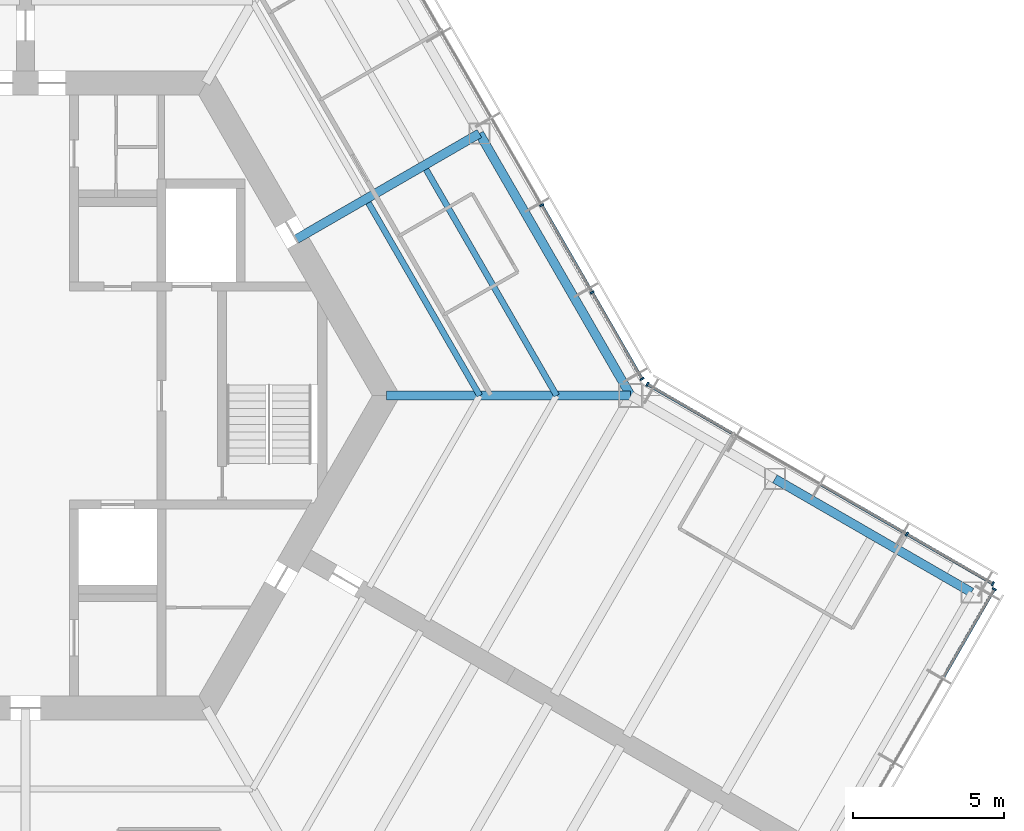
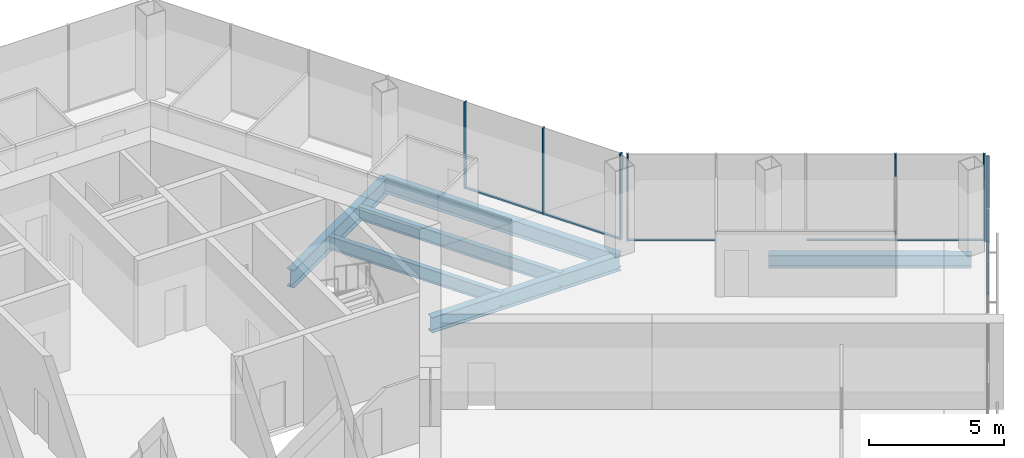
# One storey, part 5 of 15: 13 members, 6 beams, 3 elements without a shape of their own.
"""IFC4 building model written with IfcOpenShell, lengths in metres."""

from ifc_helpers import new_model, si_unit, direction, frame, origin, origin_2d, place, context, subcontext, project, spatial, rectangle, i_section, extrude, material, material_profile, profile_set, type_object, element, aggregate, save


model = new_model("IFC4")

# Units and contexts
model_context = context("Model", 3, precision=1e-05, world=origin(), true_north=direction((0.0, 1.0)))
body_context = subcontext(model_context, "Body", "Model", "MODEL_VIEW")
ifc_project = project(units=[si_unit("LENGTHUNIT", "METRE"), si_unit("AREAUNIT", "SQUARE_METRE"), si_unit("VOLUMEUNIT", "CUBIC_METRE"), si_unit("PLANEANGLEUNIT", "RADIAN"), si_unit("MASSUNIT", "GRAM", prefix="KILO")], contexts=[model_context])

# Site, building, storey
site_placement = place(None, origin())
site = spatial("IfcSite", under=ifc_project, at=site_placement, CompositionType="ELEMENT")
building_placement = place(site_placement, origin())
building = spatial("IfcBuilding", under=site, at=building_placement, Name="Kasaneha Research Tower", CompositionType="ELEMENT")
storey_placement = place(building_placement, frame((0.0, 0.0, 236.199951171875)))
storey = spatial("IfcBuildingStorey", under=building, at=storey_placement, Name="L59", CompositionType="ELEMENT", Elevation=236.199951171875)

# Beams
ifc_material_1 = material(Name="Steel SN490B", Category="steel")
ifc_material_profile_1 = material_profile(ifc_material_1, i_section(OverallWidth=0.199951171875, OverallDepth=0.60009765625, WebThickness=0.010986328125, FlangeThickness=0.01708984375, FilletRadius=0.012939453125, at=origin_2d()), Name="H-600x200x11x17")
ifc_profile_set_1 = profile_set([ifc_material_profile_1], Name="Steel SN490B")
beam_type_1 = type_object("IfcBeamType", Name="B1-3 secondary beam H-600x200x11x17", PredefinedType="JOIST", material=ifc_profile_set_1)
beam_1_placement = place(storey_placement, frame((15.010986328125, 0.0, -0.449951171875), z_axis=(-0.499994443168, 0.866028611999, 0.0), x_axis=(-0.866028611999, -0.499994443168, 0.0)))
element("IfcBeam", 1, at=beam_1_placement, inside=storey, type_object=beam_type_1, Name="Secondary beam RS030L1 L59", PredefinedType="JOIST", context=body_context, shape_type="SweptSolid", body=[
    extrude(i_section(OverallWidth=0.199951171875, OverallDepth=0.60009765625, WebThickness=0.010986328125, FlangeThickness=0.01708984375, FilletRadius=0.012939453125, at=origin_2d()), origin(), (0.0, 0.0, 1.0), 7.35546875),
])
beam_2_placement = place(storey_placement, frame((17.551513671875, 0.0, -0.449951171875), z_axis=(-0.5000050195, 0.866022505755, 0.0), x_axis=(-0.866022505755, -0.5000050195, 0.0)))
element("IfcBeam", 2, at=beam_2_placement, inside=storey, type_object=beam_type_1, Name="Secondary beam RS030L2 L59", PredefinedType="JOIST", context=body_context, shape_type="SweptSolid", body=[
    extrude(i_section(OverallWidth=0.199951171875, OverallDepth=0.60009765625, WebThickness=0.010986328125, FlangeThickness=0.01708984375, FilletRadius=0.012939453125, at=origin_2d()), origin(), (0.0, 0.0, 1.0), 8.6259765625),
])

# Curtain wall, members
ifc_material_2 = material(Name="Glass and aluminium", Category="aluminium")
curtain_wall_type = type_object("IfcCurtainWallType", Name="High-rise office curtain wall", PredefinedType="USERDEFINED", material=ifc_material_2)
curtain_wall_1_placement = place(storey_placement, origin())
curtain_wall_1 = element("IfcCurtainWall", 3, at=curtain_wall_1_placement, inside=storey, type_object=curtain_wall_type, Name="CW-O3 L59 run 01a", ObjectType="UNITISED CURTAIN WALL", PredefinedType="USERDEFINED")
ifc_material_3 = material(Name="Aluminium 6063-T6", Category="aluminium")
ifc_material_profile_2 = material_profile(ifc_material_3, rectangle(XDim=0.06005859375, YDim=0.139892578125, at=origin_2d()), Name="CW-O3 mullion 60x140")
ifc_profile_set_2 = profile_set([ifc_material_profile_2], Name="Aluminium 6063-T6")
member_type_1 = type_object("IfcMemberType", Name="CW-O3 mullion", PredefinedType="MULLION", material=ifc_profile_set_2)
member_1_placement = place(storey_placement, frame((20.374267578125, 0.5517578125, 0.0), z_axis=(0.0, 0.0, 1.0), x_axis=(-0.499999979232, 0.866025415775, 0.0)))
member_1 = element("IfcMember", 4, at=member_1_placement, type_object=member_type_1, Name="CW-O3 mullion 1", PredefinedType="MULLION", context=body_context, shape_type="SweptSolid", body=[
    extrude(rectangle(XDim=0.06005859375, YDim=0.139892578125, at=origin_2d()), origin(), (0.0, 0.0, 1.0), 3.900146484375),
])
member_2_placement = place(storey_placement, frame((18.723876953125, 3.410400390625, 0.0), z_axis=(0.0, 0.0, 1.0), x_axis=(-0.499999979232, 0.866025415775, 0.0)))
member_2 = element("IfcMember", 5, at=member_2_placement, type_object=member_type_1, Name="CW-O3 mullion 2", PredefinedType="MULLION", context=body_context, shape_type="SweptSolid", body=[
    extrude(rectangle(XDim=0.06005859375, YDim=0.139892578125, at=origin_2d()), origin(), (0.0, 0.0, 1.0), 3.900146484375),
])
member_3_placement = place(storey_placement, frame((17.058349609375, 6.295166015625, 0.0), z_axis=(0.0, 0.0, 1.0), x_axis=(-0.499999979232, 0.866025415775, 0.0)))
member_3 = element("IfcMember", 6, at=member_3_placement, type_object=member_type_1, Name="CW-O3 mullion 3", PredefinedType="MULLION", context=body_context, shape_type="SweptSolid", body=[
    extrude(rectangle(XDim=0.06005859375, YDim=0.139892578125, at=origin_2d()), origin(), (0.0, 0.0, 1.0), 3.900146484375),
])

# Curtain wall, member
curtain_wall_2_placement = place(storey_placement, origin())
curtain_wall_2 = element("IfcCurtainWall", 7, at=curtain_wall_2_placement, inside=storey, type_object=curtain_wall_type, Name="CW-O3 L59 run 08a", ObjectType="UNITISED CURTAIN WALL", PredefinedType="USERDEFINED")
member_4_placement = place(storey_placement, frame((32.012939453125, -6.39306640625, 0.0), z_axis=(0.0, 0.0, 1.0), x_axis=(0.500000011442, 0.866025397178, 0.0)))
member_4 = element("IfcMember", 8, at=member_4_placement, type_object=member_type_1, Name="CW-O3 mullion 4", PredefinedType="MULLION", context=body_context, shape_type="SweptSolid", body=[
    extrude(rectangle(XDim=0.06005859375, YDim=0.139892578125, at=origin_2d()), origin(), (0.0, 0.0, 1.0), 3.900146484375),
])

# Curtain wall, members
curtain_wall_3_placement = place(storey_placement, origin())
curtain_wall_3 = element("IfcCurtainWall", 9, at=curtain_wall_3_placement, inside=storey, type_object=curtain_wall_type, Name="CW-O3 L59 run 09a", ObjectType="UNITISED CURTAIN WALL", PredefinedType="USERDEFINED")
member_5_placement = place(storey_placement, frame((31.96533203125, -6.21533203125, 0.0), z_axis=(0.0, 0.0, 1.0), x_axis=(-0.866025411464, 0.499999986699, 0.0)))
member_5 = element("IfcMember", 10, at=member_5_placement, type_object=member_type_1, Name="CW-O3 mullion 1", PredefinedType="MULLION", context=body_context, shape_type="SweptSolid", body=[
    extrude(rectangle(XDim=0.06005859375, YDim=0.139892578125, at=origin_2d()), origin(), (0.0, 0.0, 1.0), 3.900146484375),
])
member_6_placement = place(storey_placement, frame((29.125, -4.575439453125, 0.0), z_axis=(0.0, 0.0, 1.0), x_axis=(-0.866025411464, 0.499999986699, 0.0)))
member_6 = element("IfcMember", 11, at=member_6_placement, type_object=member_type_1, Name="CW-O3 mullion 2", PredefinedType="MULLION", context=body_context, shape_type="SweptSolid", body=[
    extrude(rectangle(XDim=0.06005859375, YDim=0.139892578125, at=origin_2d()), origin(), (0.0, 0.0, 1.0), 3.900146484375),
])
member_7_placement = place(storey_placement, frame((20.5517578125, 0.374267578125, 0.0), z_axis=(0.0, 0.0, 1.0), x_axis=(-0.866025411464, 0.499999986699, 0.0)))
member_7 = element("IfcMember", 12, at=member_7_placement, type_object=member_type_1, Name="CW-O3 mullion 5", PredefinedType="MULLION", context=body_context, shape_type="SweptSolid", body=[
    extrude(rectangle(XDim=0.06005859375, YDim=0.139892578125, at=origin_2d()), origin(), (0.0, 0.0, 1.0), 3.900146484375),
])

# Member
ifc_material_4 = material(Name="Aluminium 6063-T6", Category="aluminium")
ifc_material_profile_3 = material_profile(ifc_material_4, rectangle(XDim=0.10009765625, YDim=0.06005859375, at=origin_2d()), Name="CW-O3 transom 100x60")
ifc_profile_set_3 = profile_set([ifc_material_profile_3], Name="Aluminium 6063-T6")
member_type_2 = type_object("IfcMemberType", Name="CW-O3 transom", PredefinedType="USERDEFINED", material=ifc_profile_set_3)
member_8_placement = place(storey_placement, frame((20.359130859375, 0.577880859375, 0.030029296875), z_axis=(-0.499987643696, 0.866032537582, 0.0), x_axis=(-0.866032537582, -0.499987643696, 0.0)))
member_8 = element("IfcMember", 13, at=member_8_placement, type_object=member_type_2, Name="CW-O3 transom 1", ObjectType="TRANSOM", PredefinedType="USERDEFINED", context=body_context, shape_type="SweptSolid", body=[
    extrude(rectangle(XDim=0.10009765625, YDim=0.06005859375, at=origin_2d()), origin(), (0.0, 0.0, 1.0), 3.24072265625),
])

member_9_placement = place(storey_placement, frame((18.708740234375, 3.4365234375, 0.030029296875), z_axis=(-0.500000270186, 0.866025247793, 0.0), x_axis=(-0.866025247793, -0.500000270186, 0.0)))
member_9 = element("IfcMember", 14, at=member_9_placement, type_object=member_type_2, Name="CW-O3 transom 2", ObjectType="TRANSOM", PredefinedType="USERDEFINED", context=body_context, shape_type="SweptSolid", body=[
    extrude(rectangle(XDim=0.10009765625, YDim=0.06005859375, at=origin_2d()), origin(), (0.0, 0.0, 1.0), 3.27099609375),
])

aggregate(curtain_wall_1, [member_1, member_2, member_3, member_8, member_9])

member_10_placement = place(storey_placement, frame((30.343017578125, -9.285400390625, 0.030029296875), z_axis=(0.500018282537, 0.866014848099, 0.0), x_axis=(-0.866014848099, 0.500018282537, 0.0)))
member_10 = element("IfcMember", 15, at=member_10_placement, type_object=member_type_2, Name="CW-O3 transom 3", ObjectType="TRANSOM", PredefinedType="USERDEFINED", context=body_context, shape_type="SweptSolid", body=[
    extrude(rectangle(XDim=0.10009765625, YDim=0.06005859375, at=origin_2d()), origin(), (0.0, 0.0, 1.0), 3.31005859375),
])

aggregate(curtain_wall_2, [member_4, member_10])

member_11_placement = place(storey_placement, frame((31.939453125, -6.200439453125, 0.030029296875), z_axis=(-0.866041647767, 0.499971863542, 0.0), x_axis=(-0.499971863542, -0.866041647767, 0.0)))
member_11 = element("IfcMember", 16, at=member_11_placement, type_object=member_type_2, Name="CW-O3 transom 1", ObjectType="TRANSOM", PredefinedType="USERDEFINED", context=body_context, shape_type="SweptSolid", body=[
    extrude(rectangle(XDim=0.10009765625, YDim=0.06005859375, at=origin_2d()), origin(), (0.0, 0.0, 1.0), 3.219970703125),
])

member_12_placement = place(storey_placement, frame((29.098876953125, -4.560546875, 0.030029296875), z_axis=(-0.86599666273, 0.500049777664, 0.0), x_axis=(-0.500049777664, -0.86599666273, 0.0)))
member_12 = element("IfcMember", 17, at=member_12_placement, type_object=member_type_2, Name="CW-O3 transom 2", ObjectType="TRANSOM", PredefinedType="USERDEFINED", context=body_context, shape_type="SweptSolid", body=[
    extrude(rectangle(XDim=0.10009765625, YDim=0.06005859375, at=origin_2d()), origin(), (0.0, 0.0, 1.0), 3.249755859375),
])

member_13_placement = place(storey_placement, frame((23.3662109375, -1.250732421875, 0.030029296875), z_axis=(-0.866022692473, 0.500004696101, 0.0), x_axis=(-0.500004696101, -0.866022692473, 0.0)))
member_13 = element("IfcMember", 18, at=member_13_placement, type_object=member_type_2, Name="CW-O3 transom 4", ObjectType="TRANSOM", PredefinedType="USERDEFINED", context=body_context, shape_type="SweptSolid", body=[
    extrude(rectangle(XDim=0.10009765625, YDim=0.06005859375, at=origin_2d()), origin(), (0.0, 0.0, 1.0), 3.2197265625),
])

aggregate(curtain_wall_3, [member_5, member_6, member_7, member_11, member_12, member_13])

# Beams
ifc_material_5 = material(Name="Steel SN490B", Category="steel")
ifc_material_profile_4 = material_profile(ifc_material_5, i_section(OverallWidth=0.300048828125, OverallDepth=0.699951171875, WebThickness=0.012939453125, FlangeThickness=0.02392578125, FilletRadius=0.01806640625, at=origin_2d()), Name="H-700x300x13x24")
ifc_profile_set_4 = profile_set([ifc_material_profile_4], Name="Steel SN490B")
beam_type_2 = type_object("IfcBeamType", Name="G1-3 radial girder H-700x300x13x24", PredefinedType="BEAM", material=ifc_profile_set_4)
beam_3_placement = place(storey_placement, frame((11.92236328125, 0.0, -0.5), z_axis=(1.0, 0.0, 0.0), x_axis=(0.0, 1.0, 0.0)))
element("IfcBeam", 19, at=beam_3_placement, inside=storey, type_object=beam_type_2, Name="Radial girder RV000 L59", PredefinedType="BEAM", context=body_context, shape_type="SweptSolid", body=[
    extrude(i_section(OverallWidth=0.300048828125, OverallDepth=0.699951171875, WebThickness=0.012939453125, FlangeThickness=0.02392578125, FilletRadius=0.01806640625, at=origin_2d()), origin(), (0.0, 0.0, 1.0), 8.07763671875),
])
ifc_material_6 = material(Name="Steel SN490B", Category="steel")
ifc_material_profile_5 = material_profile(ifc_material_6, i_section(OverallWidth=0.300048828125, OverallDepth=0.800048828125, WebThickness=0.013916015625, FlangeThickness=0.02587890625, FilletRadius=0.01806640625, at=origin_2d()), Name="H-800x300x14x26")
ifc_profile_set_5 = profile_set([ifc_material_profile_5], Name="Steel SN490B")
beam_type_3 = type_object("IfcBeamType", Name="G2-3 radial girder H-800x300x14x26", PredefinedType="BEAM", material=ifc_profile_set_5)
beam_4_placement = place(storey_placement, frame((8.941650390625, 5.16259765625, -0.550048828125), z_axis=(0.866039713508, 0.499975214012, 0.0), x_axis=(-0.499975214012, 0.866039713508, 0.0)))
element("IfcBeam", 20, at=beam_4_placement, inside=storey, type_object=beam_type_3, Name="Radial girder RM030 L59", PredefinedType="BEAM", context=body_context, shape_type="SweptSolid", body=[
    extrude(i_section(OverallWidth=0.300048828125, OverallDepth=0.800048828125, WebThickness=0.013916015625, FlangeThickness=0.02587890625, FilletRadius=0.01806640625, at=origin_2d()), origin(), (0.0, 0.0, 1.0), 6.995361328125),
])
ifc_material_7 = material(Name="Steel SN490B", Category="steel")
ifc_material_profile_6 = material_profile(ifc_material_7, i_section(OverallWidth=0.300048828125, OverallDepth=0.69189453125, WebThickness=0.012939453125, FlangeThickness=0.02001953125, FilletRadius=0.01806640625, at=origin_2d()), Name="H-692x300x13x20")
ifc_profile_set_6 = profile_set([ifc_material_profile_6], Name="Steel SN490B")
beam_type_4 = type_object("IfcBeamType", Name="SB1-3 spandrel beam H-692x300x13x20", PredefinedType="SPANDREL", material=ifc_profile_set_6)
beam_5_placement = place(storey_placement, frame((20.0, 0.0, -0.495849609375), z_axis=(-0.500004234368, 0.866022959057, 0.0), x_axis=(-0.866022959057, -0.500004234368, 0.0)))
element("IfcBeam", 21, at=beam_5_placement, inside=storey, type_object=beam_type_4, Name="Spandrel beam SR030L L59", PredefinedType="SPANDREL", context=body_context, shape_type="SweptSolid", body=[
    extrude(i_section(OverallWidth=0.300048828125, OverallDepth=0.69189453125, WebThickness=0.012939453125, FlangeThickness=0.02001953125, FilletRadius=0.01806640625, at=origin_2d()), origin(), (0.0, 0.0, 1.0), 10.0),
])
ifc_material_8 = material(Name="Steel SN490B", Category="steel")
ifc_material_profile_7 = material_profile(ifc_material_8, i_section(OverallWidth=0.300048828125, OverallDepth=0.58203125, WebThickness=0.011962890625, FlangeThickness=0.01708984375, FilletRadius=0.012939453125, at=origin_2d()), Name="H-582x300x12x17")
ifc_profile_set_7 = profile_set([ifc_material_profile_7], Name="Steel SN490B")
beam_type_5 = type_object("IfcBeamType", Name="SB2-3 spandrel beam H-582x300x12x17", PredefinedType="SPANDREL", material=ifc_profile_set_7)
beam_6_placement = place(storey_placement, frame((24.76318359375, -2.75, -0.44091796875), z_axis=(0.866022959057, -0.500004234368, 0.0), x_axis=(0.500004234368, 0.866022959057, 0.0)))
element("IfcBeam", 22, at=beam_6_placement, inside=storey, type_object=beam_type_5, Name="Spandrel beam WSCN2 L59", PredefinedType="SPANDREL", context=body_context, shape_type="SweptSolid", body=[
    extrude(i_section(OverallWidth=0.300048828125, OverallDepth=0.58203125, WebThickness=0.011962890625, FlangeThickness=0.01708984375, FilletRadius=0.012939453125, at=origin_2d()), origin(), (0.0, 0.0, 1.0), 7.5),
])

save(model, "model.ifc")
